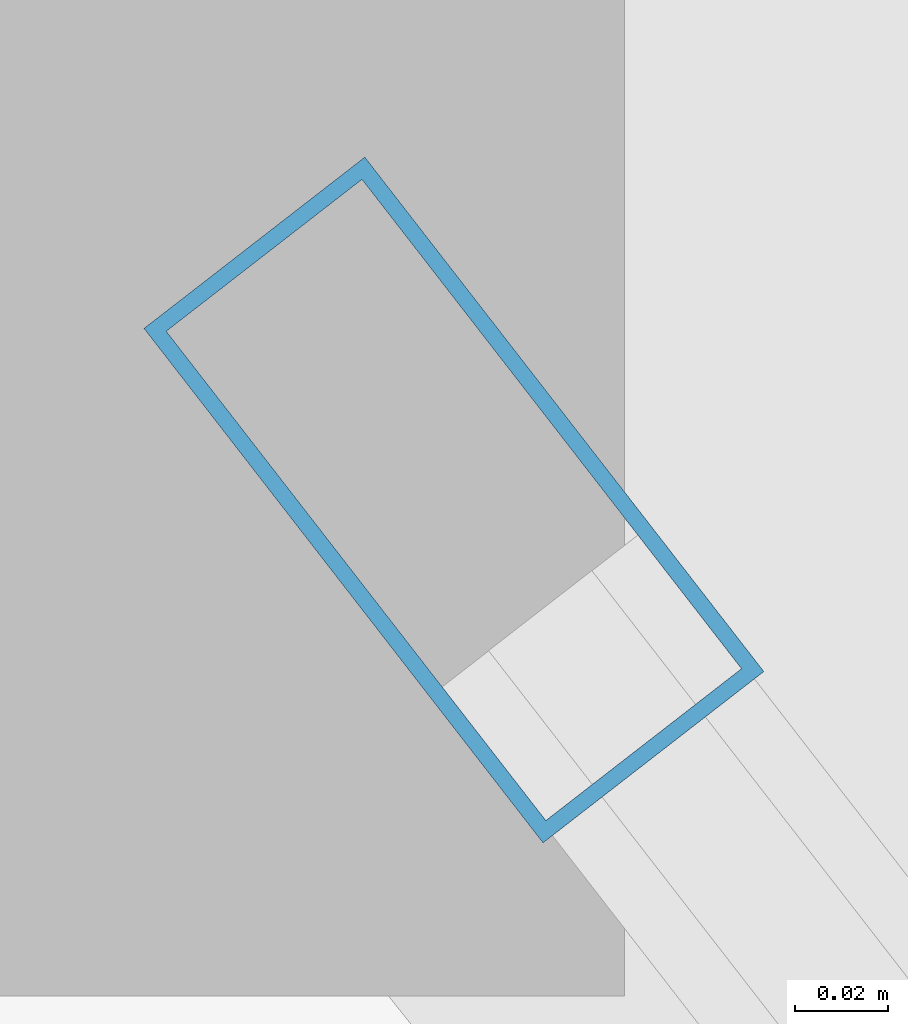
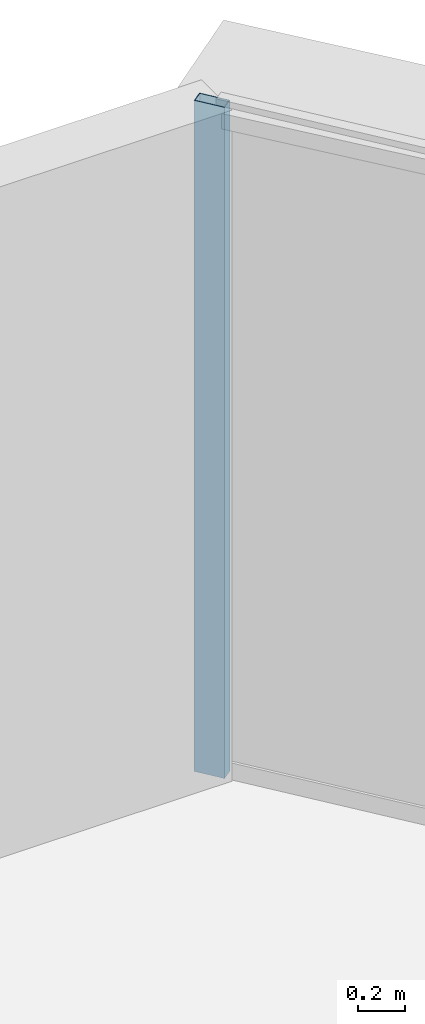
# One storey, part 25 of 33: 1 member, 1 element without a shape of its own.
"""IFC4 building model written with IfcOpenShell, lengths in metres."""

from ifc_helpers import new_model, si_unit, direction, frame, origin, origin_2d, place, context, subcontext, project, spatial, hollow_rectangle, extrude, source, transform, mapped, material, layer, layer_set, material_profile, profile_set, type_object, element, aggregate, save


model = new_model("IFC4")

# Units and contexts
model_context = context("Model", 3, precision=1e-05, world=origin(), true_north=direction((0.0, 1.0)))
body_context = subcontext(model_context, "Body", "Model", "MODEL_VIEW")
ifc_project = project(units=[si_unit("LENGTHUNIT", "METRE"), si_unit("AREAUNIT", "SQUARE_METRE"), si_unit("VOLUMEUNIT", "CUBIC_METRE"), si_unit("PLANEANGLEUNIT", "RADIAN"), si_unit("MASSUNIT", "GRAM", prefix="KILO"), si_unit("THERMODYNAMICTEMPERATUREUNIT", "KELVIN"), si_unit("POWERUNIT", "WATT")], contexts=[model_context])

# Site, building, storey
site_placement = place(None, origin())
site = spatial("IfcSite", under=ifc_project, at=site_placement, CompositionType="ELEMENT")
building_placement = place(site_placement, origin())
building = spatial("IfcBuilding", under=site, at=building_placement, Name="Yunzhuo Pagoda Commons", CompositionType="ELEMENT")
storey_placement = place(building_placement, frame((0.0, 0.0, 329.260009765625)))
storey = spatial("IfcBuildingStorey", under=building, at=storey_placement, Name="L82", CompositionType="ELEMENT", Elevation=329.260009765625)

# Curtain wall, member
ifc_material = material(Name="Anodized aluminium 6063-T6", Category="aluminium")
ifc_layer = layer(ifc_material, 0.139892578125)
ifc_layer_set = layer_set([ifc_layer], Name="Anodized aluminium 6063-T6")
curtain_wall_type = type_object("IfcCurtainWallType", Name="CW-HI High-Zone Ribbon Curtain Wall", PredefinedType="NOTDEFINED", material=ifc_layer_set)
curtain_wall_placement = place(storey_placement, origin())
curtain_wall = element("IfcCurtainWall", 1, at=curtain_wall_placement, inside=storey, type_object=curtain_wall_type, Name="L82 curtain wall CW-L82-F2B5", PredefinedType="NOTDEFINED")
ifc_material_profile = material_profile(ifc_material, hollow_rectangle(XDim=0.06005859375, YDim=0.139892578125, WallThickness=0.00341796875, at=origin_2d()), Name="Anodized aluminium 6063-T6")
ifc_profile_set = profile_set([ifc_material_profile], Name="Anodized aluminium 6063-T6")
member_type = type_object("IfcMemberType", Name="CW-HI-M Mullion RHS 140x60x3.5", PredefinedType="MULLION", material=ifc_profile_set)
shared_shape = source(origin(), body_context, "Body", "SweptSolid", [
    extrude(hollow_rectangle(XDim=0.06005859375, YDim=0.139892578125, WallThickness=0.00341796875, at=origin_2d()), origin(), (0.0, 0.0, 1.0), 3.489990234375),
])
member_placement = place(storey_placement, frame((51.206787109375, 72.759765625, 0.0), z_axis=(0.0, 0.0, 1.0), x_axis=(-0.790146906982, -0.612917502921, 0.0)))
member = element("IfcMember", 2, at=member_placement, type_object=member_type, Name="CW mullion 2", PredefinedType="MULLION", context=body_context, shape_type="MappedRepresentation", body=[
    mapped(shared_shape, transform((0.0, 0.0, 0.0), scale=1.0)),
])
aggregate(curtain_wall, [member])

save(model, "model.ifc")
